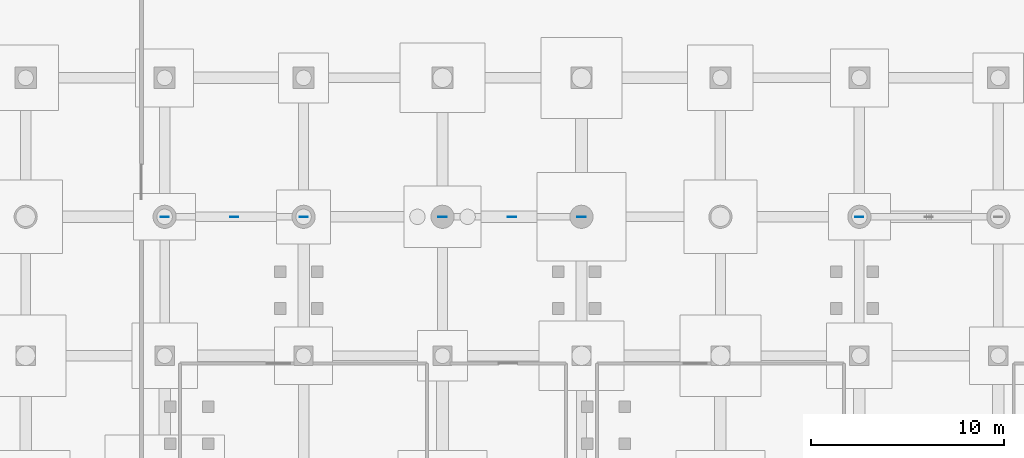
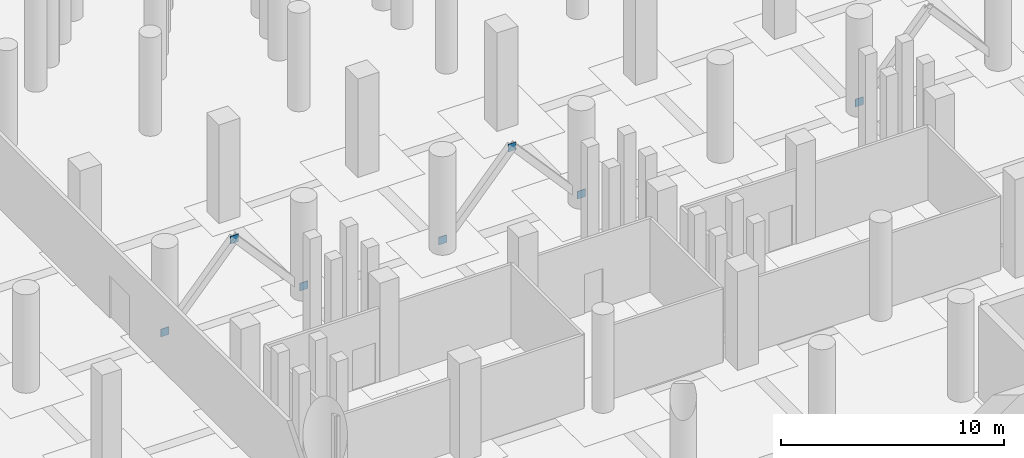
# One storey, part 30 of 37: 7 discrete accessories.
"""IFC4 building model written with IfcOpenShell, lengths in metres."""

import ifcopenshell
import ifcopenshell.guid

model = None  # the IFC model being written
_history = None  # IfcOwnerHistory: only IFC2X3 demands one
_inside = {}  # id of a spatial element -> (the spatial element, [elements in it])
_under = {}  # id of a project, library or spatial element -> (it, [spatial elements below it])
_declared = {}  # id of a project -> (the project, [libraries it declares])
_typed = {}  # id of a type object -> (the type object, [elements of that type])
_made_of = {}  # id of a material, layer set ... -> (it, [elements and type objects made of it])


def new_model(schema):
    """Start an empty IFC model of exactly this schema.

    Asked for "IFC4X3", IfcOpenShell would pick the latest addendum, in which some entities
    have other attributes; the version numbers below select the first issue.
    IFC2X3 requires an IfcOwnerHistory on every rooted entity: one is made here for all.
    """
    global model, _history
    if schema == "IFC4X3":
        model = ifcopenshell.file(schema_version=(4, 3, 0, 0))
    else:
        model = ifcopenshell.file(schema=schema)
    _inside.clear()
    _under.clear()
    _declared.clear()
    _typed.clear()
    _made_of.clear()
    _history = None
    if model.schema == "IFC2X3":
        org = make("IfcOrganization", Name="unknown")
        user = make(
            "IfcPersonAndOrganization",
            ThePerson=make("IfcPerson", FamilyName="unknown"),
            TheOrganization=org,
        )
        app = make(
            "IfcApplication",
            ApplicationDeveloper=org,
            Version="unknown",
            ApplicationFullName="unknown",
            ApplicationIdentifier="unknown",
        )
        _history = make(
            "IfcOwnerHistory",
            OwningUser=user,
            OwningApplication=app,
            ChangeAction="ADDED",
            CreationDate=0,
        )
    return model


def make(cls, **values):
    """One entity of the class cls with the attributes given. An attribute that is None is left unset."""
    return model.create_entity(
        cls, **{name: value for name, value in values.items() if value is not None}
    )


def rooted(cls, **values):
    """An entity with a GlobalId (a new one), such as an element, a storey or a relation."""
    return make(cls, GlobalId=ifcopenshell.guid.new(), OwnerHistory=_history, **values)


def si_unit(unit_type, name, prefix=None):
    """IfcSIUnit, for example si_unit("LENGTHUNIT", "METRE", prefix="MILLI")."""
    return make("IfcSIUnit", UnitType=unit_type, Prefix=prefix, Name=name)


def assignment(units):
    """IfcUnitAssignment: the units of a project."""
    return None if units is None else make("IfcUnitAssignment", Units=units)


def point(xyz):
    """IfcCartesianPoint."""
    return None if xyz is None else make("IfcCartesianPoint", Coordinates=xyz)


def direction(xyz):
    """IfcDirection."""
    return None if xyz is None else make("IfcDirection", DirectionRatios=xyz)


def frame(location, z_axis=None, x_axis=None):
    """IfcAxis2Placement3D, a coordinate frame: its origin and axes. An axis left out is left unset."""
    return make(
        "IfcAxis2Placement3D",
        Location=point(location),
        Axis=direction(z_axis),
        RefDirection=direction(x_axis),
    )


def frame_2d(location, x_axis=None):
    """IfcAxis2Placement2D, a coordinate frame in the plane: its origin and x axis."""
    return make(
        "IfcAxis2Placement2D", Location=point(location), RefDirection=direction(x_axis)
    )


def origin():
    """The frame at (0, 0, 0) with its axes left unset."""
    return frame((0.0, 0.0, 0.0))


def origin_2d():
    """The frame at (0, 0) in the plane with its x axis left unset."""
    return frame_2d((0.0, 0.0))


def place(relative_to, where):
    """IfcLocalPlacement: puts the frame where relative to a parent placement (None: the world)."""
    return make(
        "IfcLocalPlacement", PlacementRelTo=relative_to, RelativePlacement=where
    )


def context(
    kind, dimensions, precision=None, world=None, true_north=None, identifier=None
):
    """IfcGeometricRepresentationContext, for example the 3D "Model" context."""
    return make(
        "IfcGeometricRepresentationContext",
        ContextIdentifier=identifier,
        ContextType=kind,
        CoordinateSpaceDimension=dimensions,
        Precision=precision,
        WorldCoordinateSystem=world,
        TrueNorth=true_north,
    )


def subcontext(parent, identifier, kind, view, scale=None):
    """IfcGeometricRepresentationSubContext, for example "Body" below "Model"."""
    return make(
        "IfcGeometricRepresentationSubContext",
        ContextIdentifier=identifier,
        ContextType=kind,
        ParentContext=parent,
        TargetScale=scale,
        TargetView=view,
    )


def project(units=None, contexts=None):
    """IfcProject with its units and contexts."""
    return rooted(
        "IfcProject",
        Name="project",
        RepresentationContexts=contexts,
        UnitsInContext=assignment(units),
    )


def spatial(cls, under=None, at=None, **own):
    """A site, building, storey or space (cls), placed at a placement, below another one or the project."""
    s = rooted(cls, ObjectPlacement=at, **own)
    if under is not None:
        _under.setdefault(under.id(), (under, []))[1].append(s)
    return s


def profile(cls, at=None, kind="AREA", **sizes):
    """A parametric profile (cls). Its sizes go by their IFC names, for example OverallWidth=200.0."""
    return make(cls, ProfileType=kind, Position=at, **sizes)


def rectangle(**sizes):
    """IfcRectangleProfileDef."""
    return profile("IfcRectangleProfileDef", **sizes)


def extrude(swept, where, along, depth):
    """IfcExtrudedAreaSolid: the profile swept, set in the frame where, extruded along a direction by depth."""
    return make(
        "IfcExtrudedAreaSolid",
        SweptArea=swept,
        Position=where,
        ExtrudedDirection=direction(along),
        Depth=depth,
    )


def shape(context_of_items, identifier, shape_type, items):
    """IfcShapeRepresentation: the items that make up one representation, for example the "Body"."""
    return make(
        "IfcShapeRepresentation",
        ContextOfItems=context_of_items,
        RepresentationIdentifier=identifier,
        RepresentationType=shape_type,
        Items=items,
    )


def material(Name=None, Category=None):
    """IfcMaterial."""
    return make("IfcMaterial", Name=Name, Category=Category)


def made_of(thing, what):
    """Note that an element or type object is made of a material, layer set ...; save() writes the relation."""
    if what is not None:
        _made_of.setdefault(what.id(), (what, []))[1].append(thing)
    return thing


def type_object(cls, material=None, **own):
    """A type object (cls), such as IfcWallType, which elements share."""
    return made_of(rooted(cls, **own), material)


def element(
    cls,
    number,
    at=None,
    inside=None,
    cuts=None,
    type_object=None,
    material=None,
    context=None,
    identifier="Body",
    shape_type=None,
    held_by="IfcProductDefinitionShape",
    body=None,
    shapes=None,
    **own,
):
    """One element of the class cls, such as IfcWall. Its Tag is "e" and its number.

    at: its placement. inside: the storey or other place that contains it. cuts: it is an
    opening in that element (IfcRelVoidsElement). A single representation is given by context,
    identifier, shape_type and body (its items); several are given by shapes. held_by: the class
    of the entity that holds the representations. save() writes the other relations.
    """
    e = rooted(cls, Tag="e%d" % number, ObjectPlacement=at, **own)
    if body is not None:
        shapes = [shape(context, identifier, shape_type, body)]
    if shapes is not None:
        e.Representation = make(held_by, Representations=shapes)
    if inside is not None:
        _inside.setdefault(inside.id(), (inside, []))[1].append(e)
    if cuts is not None:
        rooted(
            "IfcRelVoidsElement", RelatingBuildingElement=cuts, RelatedOpeningElement=e
        )
    if type_object is not None:
        _typed.setdefault(type_object.id(), (type_object, []))[1].append(e)
    return made_of(e, material)


def aggregate(whole, parts):
    """IfcRelAggregates: a whole, such as a stair, and the parts it consists of."""
    return rooted("IfcRelAggregates", RelatingObject=whole, RelatedObjects=parts)


def save(model, path):
    """Write the relations noted so far, then the file.

    IfcRelAggregates (storeys below a building ...), IfcRelContainedInSpatialStructure (elements
    in a storey), IfcRelDefinesByType, IfcRelAssociatesMaterial and IfcRelDeclares: one each for
    every whole, place, type object, material and project.
    """
    for whole, parts in _under.values():
        aggregate(whole, parts)
    for where, things in _inside.values():
        rooted(
            "IfcRelContainedInSpatialStructure",
            RelatedElements=things,
            RelatingStructure=where,
        )
    for kind, things in _typed.values():
        rooted("IfcRelDefinesByType", RelatedObjects=things, RelatingType=kind)
    for what, things in _made_of.values():
        rooted("IfcRelAssociatesMaterial", RelatedObjects=things, RelatingMaterial=what)
    for by, libraries in _declared.values():
        rooted("IfcRelDeclares", RelatingContext=by, RelatedDefinitions=libraries)
    model.write(path)


model = new_model("IFC4")

# Units and contexts
model_context = context("Model", 3, precision=1e-05, world=origin(), true_north=direction((0.0, 1.0)))
body_context = subcontext(model_context, "Body", "Model", "MODEL_VIEW")
ifc_project = project(units=[si_unit("LENGTHUNIT", "METRE"), si_unit("AREAUNIT", "SQUARE_METRE"), si_unit("VOLUMEUNIT", "CUBIC_METRE"), si_unit("PLANEANGLEUNIT", "RADIAN"), si_unit("MASSUNIT", "GRAM", prefix="KILO")], contexts=[model_context])

# Site, building, storey
site_placement = place(None, origin())
site = spatial("IfcSite", under=ifc_project, at=site_placement, CompositionType="ELEMENT")
building_placement = place(site_placement, origin())
building = spatial("IfcBuilding", under=site, at=building_placement, Name="Qandorah Velis Arena", CompositionType="ELEMENT")
storey_placement = place(building_placement, frame((0.0, 0.0, -5.39990234375)))
storey = spatial("IfcBuildingStorey", under=building, at=storey_placement, Name="B1", CompositionType="ELEMENT", Elevation=-5.39990234375)

# Discrete accessories
ifc_material = material(Name="Steel S355", Category="steel")
discrete_accessory_type = type_object("IfcDiscreteAccessoryType", Name="STR-ACC-GUS", PredefinedType="BRACKET", material=ifc_material)
for number, where, z_axis, x_axis, name in (
    (1, (43.199951171875, 28.800048828125, 0.219970703125), (0.0, 0.0, 1.0), (1.0, 0.0, 0.0), "Brace end gusset connection plate GUS-0001"),
    (2, (50.39990234375, 28.800048828125, 0.219970703125), (0.0, 0.0, 1.0), (1.0, 0.0, 0.0), "Brace end gusset connection plate GUS-0002"),
    (3, (46.800048828125, 28.800048828125, 4.050048828125), (0.0, 0.0, 1.0), (1.0, 0.0, 0.0), "Brace end gusset connection plate GUS-0003"),
    (4, (79.199951171875, 28.800048828125, 0.219970703125), (0.0, 0.0, 1.0), (1.0, 0.0, 0.0), "Brace end gusset connection plate GUS-0004"),
    (5, (57.60009765625, 28.800048828125, 0.219970703125), (0.0, 0.0, 1.0), (1.0, 0.0, 0.0), "Brace end gusset connection plate GUS-0007"),
    (6, (64.800048828125, 28.800048828125, 0.219970703125), (0.0, 0.0, 1.0), (1.0, 0.0, 0.0), "Brace end gusset connection plate GUS-0008"),
    (7, (61.199951171875, 28.800048828125, 4.050048828125), (0.0, 0.0, 1.0), (1.0, 0.0, 0.0), "Brace end gusset connection plate GUS-0009"),
):
    element("IfcDiscreteAccessory", number, at=place(storey_placement, frame(where, z_axis=z_axis, x_axis=x_axis)), inside=storey, type_object=discrete_accessory_type, Name=name, PredefinedType="BRACKET", context=body_context, shape_type="SweptSolid", body=[
        extrude(rectangle(XDim=0.419921875, YDim=0.030029296875, at=origin_2d()), origin(), (0.0, 0.0, 1.0), 0.419921875),
    ])

save(model, "model.ifc")
